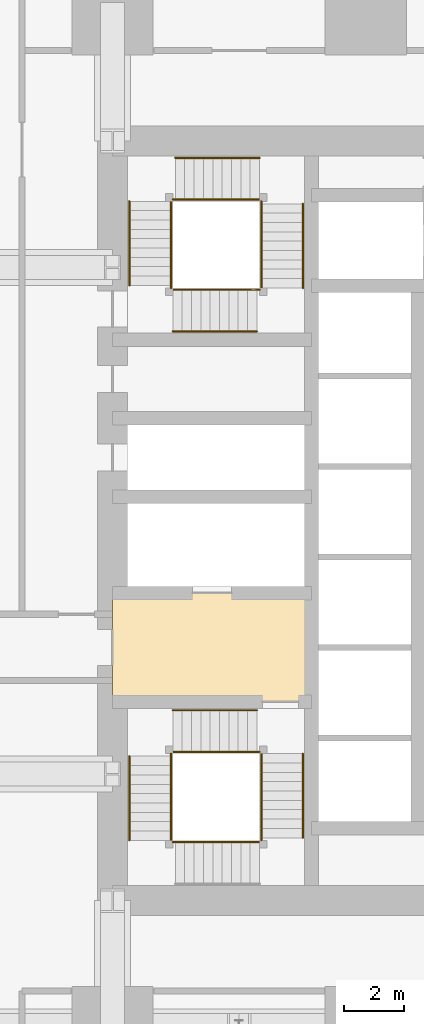
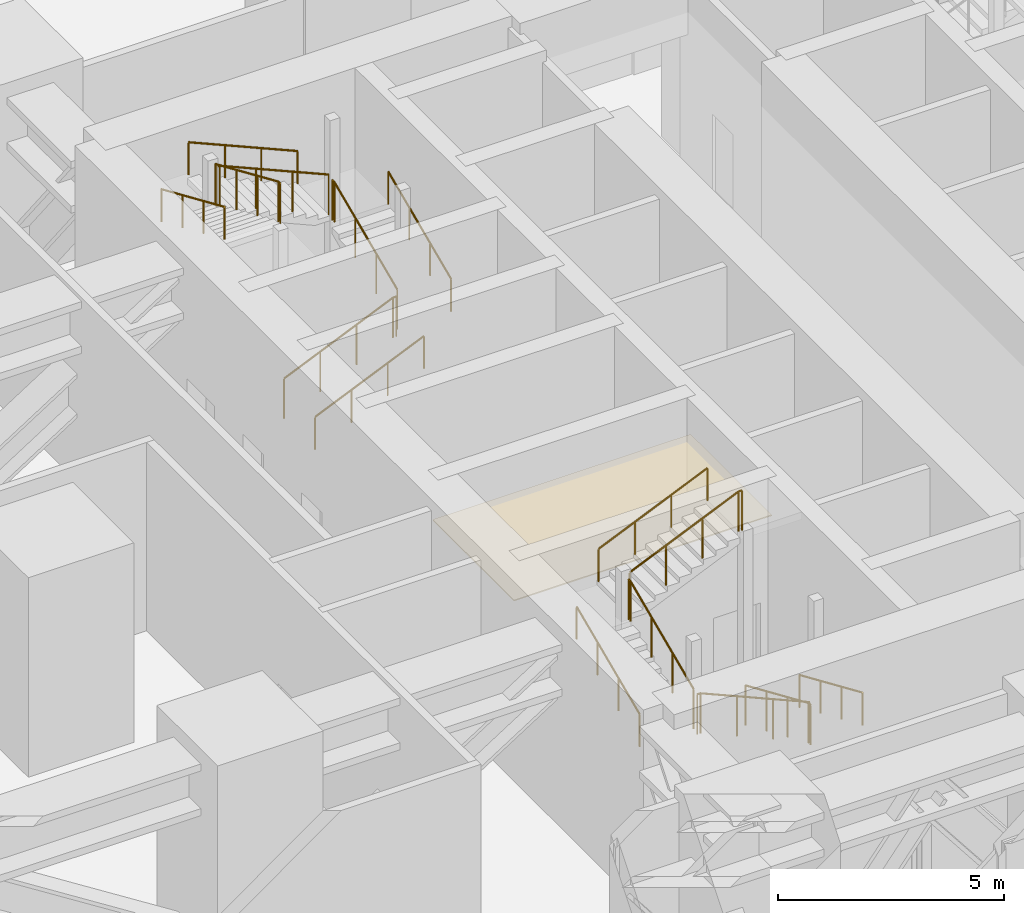
# One storey, part 15 of 16: 23 railings, 1 covering.
"""IFC4 building model written with IfcOpenShell, lengths in metres."""

from ifc_helpers import new_model, si_unit, direction, frame, origin, origin_2d, place, context, subcontext, project, spatial, polyline, circle, outline, extrude, material, layer, layer_set, type_object, element, save


model = new_model("IFC4")

# Units and contexts
model_context = context("Model", 3, precision=1e-05, world=origin(), true_north=direction((0.0, 1.0)))
body_context = subcontext(model_context, "Body", "Model", "MODEL_VIEW")
ifc_project = project(units=[si_unit("LENGTHUNIT", "METRE"), si_unit("AREAUNIT", "SQUARE_METRE"), si_unit("VOLUMEUNIT", "CUBIC_METRE"), si_unit("PLANEANGLEUNIT", "RADIAN"), si_unit("MASSUNIT", "GRAM", prefix="KILO")], contexts=[model_context])

# Site, building, storey
site_placement = place(None, origin())
site = spatial("IfcSite", under=ifc_project, at=site_placement, CompositionType="ELEMENT")
building_placement = place(site_placement, origin())
building = spatial("IfcBuilding", under=site, at=building_placement, Name="Rekha Terrace Tower", CompositionType="ELEMENT")
storey_placement = place(building_placement, frame((0.0, 0.0, 162.800048828125)))
storey = spatial("IfcBuildingStorey", under=building, at=storey_placement, Name="L41", CompositionType="ELEMENT", Elevation=162.800048828125)

# Covering
ifc_material_1 = material(Name="Powder-coated aluminium pan", Category="aluminium")
ifc_layer = layer(ifc_material_1, 0.030029296875)
ifc_layer_set = layer_set([ifc_layer], Name="Powder-coated aluminium pan")
covering_type = type_object("IfcCoveringType", Name="CL3 300x1200 metal pan ceiling", PredefinedType="CEILING", material=ifc_layer_set)
covering_placement = place(storey_placement, frame((0.0, 0.0, 4.169921875)))
element("IfcCovering", 1, at=covering_placement, inside=storey, type_object=covering_type, Name="Ceiling L41-FLB1", PredefinedType="CEILING", context=body_context, shape_type="SweptSolid", body=[
    extrude(outline(polyline([(31.800048828125, 31.199951171875), (25.199951171875, 31.199951171875), (25.199951171875, 27.60009765625), (31.800048828125, 27.60009765625), (31.800048828125, 31.199951171875)])), origin(), (0.0, 0.0, 1.0), 0.030029296875),
])

# Railings
ifc_material_2 = material(Name="Stainless steel balustrade", Category="steel")
railing_type_1 = type_object("IfcRailingType", Name="GR1 1100 stair guard", PredefinedType="GUARDRAIL", material=ifc_material_2)
railing_1_placement = place(storey_placement, frame((30.135009765625, 25.875, 0.135009765625)))
element("IfcRailing", 2, at=railing_1_placement, inside=storey, type_object=railing_type_1, Name="Guard ST1 L41 flight 1", PredefinedType="GUARDRAIL", context=body_context, shape_type="SweptSolid", body=[
    extrude(circle(Radius=0.02392578125, at=origin_2d()), frame((0.0, 0.0, 1.076171875), z_axis=(0.0, -0.916855640006, 0.399218906604), x_axis=(1.0, 0.0, 0.0)), (0.0, 0.0, 1.0), 3.04296875),
    extrude(circle(Radius=0.02099609375, at=origin_2d()), origin(), (0.0, 0.0, 1.0), 1.052001953125),
    extrude(circle(Radius=0.02099609375, at=origin_2d()), frame((0.0, -0.929931640625, 0.405029296875)), (0.0, 0.0, 1.0), 1.052001953125),
    extrude(circle(Radius=0.02099609375, at=origin_2d()), frame((0.0, -1.860107421875, 0.809814453125)), (0.0, 0.0, 1.0), 1.052001953125),
    extrude(circle(Radius=0.02099609375, at=origin_2d()), frame((0.0, -2.7900390625, 1.21484375)), (0.0, 0.0, 1.0), 1.052001953125),
])
railing_2_placement = place(storey_placement, frame((30.074951171875, 22.93994140625, 1.48486328125)))
element("IfcRailing", 3, at=railing_2_placement, inside=storey, type_object=railing_type_1, Name="Guard ST1 L41 flight 2", PredefinedType="GUARDRAIL", context=body_context, shape_type="SweptSolid", body=[
    extrude(circle(Radius=0.02392578125, at=origin_2d()), frame((0.0, 0.0, 1.076171875), z_axis=(-0.916826272601, 0.0, 0.399286345707), x_axis=(0.0, -1.0, 0.0)), (0.0, 0.0, 1.0), 3.043212890625),
    extrude(circle(Radius=0.02099609375, at=origin_2d()), origin(), (0.0, 0.0, 1.0), 1.052001953125),
    extrude(circle(Radius=0.02099609375, at=origin_2d()), frame((-0.929931640625, 0.0, 0.405029296875)), (0.0, 0.0, 1.0), 1.052001953125),
    extrude(circle(Radius=0.02099609375, at=origin_2d()), frame((-1.860107421875, 0.0, 0.81005859375)), (0.0, 0.0, 1.0), 1.052001953125),
    extrude(circle(Radius=0.02099609375, at=origin_2d()), frame((-2.7900390625, 0.0, 1.215087890625)), (0.0, 0.0, 1.0), 1.052001953125),
])
railing_3_placement = place(storey_placement, frame((27.139892578125, 23.0, 2.8349609375)))
element("IfcRailing", 4, at=railing_3_placement, inside=storey, type_object=railing_type_1, Name="Guard ST1 L41 flight 3", PredefinedType="GUARDRAIL", context=body_context, shape_type="SweptSolid", body=[
    extrude(circle(Radius=0.02392578125, at=origin_2d()), frame((0.0, 0.0, 1.076171875), z_axis=(0.0, 0.916826272601, 0.399286345707), x_axis=(-1.0, 0.0, 0.0)), (0.0, 0.0, 1.0), 3.043212890625),
    extrude(circle(Radius=0.02099609375, at=origin_2d()), origin(), (0.0, 0.0, 1.0), 1.052001953125),
    extrude(circle(Radius=0.02099609375, at=origin_2d()), frame((0.0, 0.929931640625, 0.405029296875)), (0.0, 0.0, 1.0), 1.052001953125),
    extrude(circle(Radius=0.02099609375, at=origin_2d()), frame((0.0, 1.860107421875, 0.81005859375)), (0.0, 0.0, 1.0), 1.052001953125),
    extrude(circle(Radius=0.02099609375, at=origin_2d()), frame((0.0, 2.7900390625, 1.215087890625)), (0.0, 0.0, 1.0), 1.052001953125),
])
railing_4_placement = place(storey_placement, frame((27.199951171875, 25.93505859375, 4.18505859375)))
element("IfcRailing", 5, at=railing_4_placement, inside=storey, type_object=railing_type_1, Name="Guard ST1 L41 flight 4", PredefinedType="GUARDRAIL", context=body_context, shape_type="SweptSolid", body=[
    extrude(circle(Radius=0.02392578125, at=origin_2d()), frame((0.0, 0.0, 1.076171875), z_axis=(0.916855640006, 0.0, 0.399218906604), x_axis=(0.0, 1.0, 0.0)), (0.0, 0.0, 1.0), 3.04296875),
    extrude(circle(Radius=0.02099609375, at=origin_2d()), origin(), (0.0, 0.0, 1.0), 1.052001953125),
    extrude(circle(Radius=0.02099609375, at=origin_2d()), frame((0.929931640625, 0.0, 0.405029296875)), (0.0, 0.0, 1.0), 1.052001953125),
    extrude(circle(Radius=0.02099609375, at=origin_2d()), frame((1.860107421875, 0.0, 0.809814453125)), (0.0, 0.0, 1.0), 1.052001953125),
    extrude(circle(Radius=0.02099609375, at=origin_2d()), frame((2.7900390625, 0.0, 1.21484375)), (0.0, 0.0, 1.0), 1.052001953125),
])
railing_5_placement = place(storey_placement, frame((30.135009765625, 23.0849609375, 1.349853515625)))
element("IfcRailing", 6, at=railing_5_placement, inside=storey, type_object=railing_type_1, Name="Guard ST1 L41 landing 1", PredefinedType="GUARDRAIL", context=body_context, shape_type="SweptSolid", body=[
    extrude(circle(Radius=0.02392578125, at=origin_2d()), frame((0.0, 0.0, 1.076171875), z_axis=(0.0, -1.0, 0.0), x_axis=(1.0, 0.0, 0.0)), (0.0, 0.0, 1.0), 0.0849609375),
    extrude(circle(Radius=0.02099609375, at=origin_2d()), origin(), (0.0, 0.0, 1.0), 1.052001953125),
    extrude(circle(Radius=0.02099609375, at=origin_2d()), frame((0.0, -0.0849609375, 0.0)), (0.0, 0.0, 1.0), 1.052001953125),
])
railing_6_placement = place(storey_placement, frame((27.284912109375, 22.93994140625, 2.699951171875)))
element("IfcRailing", 7, at=railing_6_placement, inside=storey, type_object=railing_type_1, Name="Guard ST1 L41 landing 2", PredefinedType="GUARDRAIL", context=body_context, shape_type="SweptSolid", body=[
    extrude(circle(Radius=0.02392578125, at=origin_2d()), frame((0.0, 0.0, 1.076171875), z_axis=(-1.0, 0.0, 0.0), x_axis=(0.0, -1.0, 0.0)), (0.0, 0.0, 1.0), 0.0849609375),
    extrude(circle(Radius=0.02099609375, at=origin_2d()), origin(), (0.0, 0.0, 1.0), 1.052001953125),
    extrude(circle(Radius=0.02099609375, at=origin_2d()), frame((-0.0849609375, 0.0, 0.0)), (0.0, 0.0, 1.0), 1.052001953125),
])
railing_7_placement = place(storey_placement, frame((27.139892578125, 25.875, 4.050048828125)))
element("IfcRailing", 8, at=railing_7_placement, inside=storey, type_object=railing_type_1, Name="Guard ST1 L41 landing 3", PredefinedType="GUARDRAIL", context=body_context, shape_type="SweptSolid", body=[
    extrude(circle(Radius=0.02392578125, at=origin_2d()), frame((0.0, 0.0, 1.076171875), z_axis=(0.0, -1.0, 0.0), x_axis=(1.0, 0.0, 0.0)), (0.0, 0.0, 1.0), 0.0849609375),
    extrude(circle(Radius=0.02099609375, at=origin_2d()), origin(), (0.0, 0.0, 1.0), 1.052001953125),
    extrude(circle(Radius=0.02099609375, at=origin_2d()), frame((0.0, -0.0849609375, 0.0)), (0.0, 0.0, 1.0), 1.052001953125),
])
railing_8_placement = place(storey_placement, frame((30.074951171875, 25.93505859375, 5.39990234375)))
element("IfcRailing", 9, at=railing_8_placement, inside=storey, type_object=railing_type_1, Name="Guard ST1 L41 landing 4", PredefinedType="GUARDRAIL", context=body_context, shape_type="SweptSolid", body=[
    extrude(circle(Radius=0.02392578125, at=origin_2d()), frame((0.0, 0.0, 1.076171875), z_axis=(-1.0, 0.0, 0.0), x_axis=(0.0, -1.0, 0.0)), (0.0, 0.0, 1.0), 0.0849609375),
    extrude(circle(Radius=0.02099609375, at=origin_2d()), origin(), (0.0, 0.0, 1.0), 1.052001953125),
    extrude(circle(Radius=0.02099609375, at=origin_2d()), frame((-0.0849609375, 0.0, 0.0)), (0.0, 0.0, 1.0), 1.052001953125),
])
railing_9_placement = place(storey_placement, frame((27.199951171875, 41.264892578125, 0.135009765625)))
element("IfcRailing", 10, at=railing_9_placement, inside=storey, type_object=railing_type_1, Name="Guard ST4 L41 flight 1", PredefinedType="GUARDRAIL", context=body_context, shape_type="SweptSolid", body=[
    extrude(circle(Radius=0.02392578125, at=origin_2d()), frame((0.0, 0.0, 1.076171875), z_axis=(0.916855640006, 0.0, 0.399218906604), x_axis=(0.0, 1.0, 0.0)), (0.0, 0.0, 1.0), 3.04296875),
    extrude(circle(Radius=0.02099609375, at=origin_2d()), origin(), (0.0, 0.0, 1.0), 1.052001953125),
    extrude(circle(Radius=0.02099609375, at=origin_2d()), frame((0.929931640625, 0.0, 0.405029296875)), (0.0, 0.0, 1.0), 1.052001953125),
    extrude(circle(Radius=0.02099609375, at=origin_2d()), frame((1.860107421875, 0.0, 0.809814453125)), (0.0, 0.0, 1.0), 1.052001953125),
    extrude(circle(Radius=0.02099609375, at=origin_2d()), frame((2.7900390625, 0.0, 1.21484375)), (0.0, 0.0, 1.0), 1.052001953125),
])
railing_10_placement = place(storey_placement, frame((30.135009765625, 41.324951171875, 1.48486328125)))
element("IfcRailing", 11, at=railing_10_placement, inside=storey, type_object=railing_type_1, Name="Guard ST4 L41 flight 2", PredefinedType="GUARDRAIL", context=body_context, shape_type="SweptSolid", body=[
    extrude(circle(Radius=0.02392578125, at=origin_2d()), frame((0.0, 0.0, 1.076171875), z_axis=(0.0, 0.916826272601, 0.399286345707), x_axis=(-1.0, 0.0, 0.0)), (0.0, 0.0, 1.0), 3.043212890625),
    extrude(circle(Radius=0.02099609375, at=origin_2d()), origin(), (0.0, 0.0, 1.0), 1.052001953125),
    extrude(circle(Radius=0.02099609375, at=origin_2d()), frame((0.0, 0.929931640625, 0.405029296875)), (0.0, 0.0, 1.0), 1.052001953125),
    extrude(circle(Radius=0.02099609375, at=origin_2d()), frame((0.0, 1.860107421875, 0.81005859375)), (0.0, 0.0, 1.0), 1.052001953125),
    extrude(circle(Radius=0.02099609375, at=origin_2d()), frame((0.0, 2.7900390625, 1.215087890625)), (0.0, 0.0, 1.0), 1.052001953125),
])
railing_11_placement = place(storey_placement, frame((30.074951171875, 44.260009765625, 2.8349609375)))
element("IfcRailing", 12, at=railing_11_placement, inside=storey, type_object=railing_type_1, Name="Guard ST4 L41 flight 3", PredefinedType="GUARDRAIL", context=body_context, shape_type="SweptSolid", body=[
    extrude(circle(Radius=0.02392578125, at=origin_2d()), frame((0.0, 0.0, 1.076171875), z_axis=(-0.916826272601, 0.0, 0.399286345707), x_axis=(0.0, -1.0, 0.0)), (0.0, 0.0, 1.0), 3.043212890625),
    extrude(circle(Radius=0.02099609375, at=origin_2d()), origin(), (0.0, 0.0, 1.0), 1.052001953125),
    extrude(circle(Radius=0.02099609375, at=origin_2d()), frame((-0.929931640625, 0.0, 0.405029296875)), (0.0, 0.0, 1.0), 1.052001953125),
    extrude(circle(Radius=0.02099609375, at=origin_2d()), frame((-1.860107421875, 0.0, 0.81005859375)), (0.0, 0.0, 1.0), 1.052001953125),
    extrude(circle(Radius=0.02099609375, at=origin_2d()), frame((-2.7900390625, 0.0, 1.215087890625)), (0.0, 0.0, 1.0), 1.052001953125),
])
railing_12_placement = place(storey_placement, frame((27.139892578125, 44.199951171875, 4.18505859375)))
element("IfcRailing", 13, at=railing_12_placement, inside=storey, type_object=railing_type_1, Name="Guard ST4 L41 flight 4", PredefinedType="GUARDRAIL", context=body_context, shape_type="SweptSolid", body=[
    extrude(circle(Radius=0.02392578125, at=origin_2d()), frame((0.0, 0.0, 1.076171875), z_axis=(0.0, -0.916855640006, 0.399218906604), x_axis=(1.0, 0.0, 0.0)), (0.0, 0.0, 1.0), 3.04296875),
    extrude(circle(Radius=0.02099609375, at=origin_2d()), origin(), (0.0, 0.0, 1.0), 1.052001953125),
    extrude(circle(Radius=0.02099609375, at=origin_2d()), frame((0.0, -0.929931640625, 0.405029296875)), (0.0, 0.0, 1.0), 1.052001953125),
    extrude(circle(Radius=0.02099609375, at=origin_2d()), frame((0.0, -1.860107421875, 0.809814453125)), (0.0, 0.0, 1.0), 1.052001953125),
    extrude(circle(Radius=0.02099609375, at=origin_2d()), frame((0.0, -2.7900390625, 1.21484375)), (0.0, 0.0, 1.0), 1.052001953125),
])
railing_13_placement = place(storey_placement, frame((29.989990234375, 41.264892578125, 1.349853515625)))
element("IfcRailing", 14, at=railing_13_placement, inside=storey, type_object=railing_type_1, Name="Guard ST4 L41 landing 1", PredefinedType="GUARDRAIL", context=body_context, shape_type="SweptSolid", body=[
    extrude(circle(Radius=0.02392578125, at=origin_2d()), frame((0.0, 0.0, 1.076171875), z_axis=(1.0, 0.0, 0.0), x_axis=(0.0, 1.0, 0.0)), (0.0, 0.0, 1.0), 0.0849609375),
    extrude(circle(Radius=0.02099609375, at=origin_2d()), origin(), (0.0, 0.0, 1.0), 1.052001953125),
    extrude(circle(Radius=0.02099609375, at=origin_2d()), frame((0.0849609375, 0.0, 0.0)), (0.0, 0.0, 1.0), 1.052001953125),
])
railing_14_placement = place(storey_placement, frame((30.135009765625, 44.114990234375, 2.699951171875)))
element("IfcRailing", 15, at=railing_14_placement, inside=storey, type_object=railing_type_1, Name="Guard ST4 L41 landing 2", PredefinedType="GUARDRAIL", context=body_context, shape_type="SweptSolid", body=[
    extrude(circle(Radius=0.02392578125, at=origin_2d()), frame((0.0, 0.0, 1.076171875), z_axis=(0.0, 1.0, 0.0), x_axis=(-1.0, 0.0, 0.0)), (0.0, 0.0, 1.0), 0.0849609375),
    extrude(circle(Radius=0.02099609375, at=origin_2d()), origin(), (0.0, 0.0, 1.0), 1.052001953125),
    extrude(circle(Radius=0.02099609375, at=origin_2d()), frame((0.0, 0.0849609375, 0.0)), (0.0, 0.0, 1.0), 1.052001953125),
])
railing_15_placement = place(storey_placement, frame((27.199951171875, 44.260009765625, 4.050048828125)))
element("IfcRailing", 16, at=railing_15_placement, inside=storey, type_object=railing_type_1, Name="Guard ST4 L41 landing 3", PredefinedType="GUARDRAIL", context=body_context, shape_type="SweptSolid", body=[
    extrude(circle(Radius=0.02392578125, at=origin_2d()), frame((0.0, 0.0, 1.076171875), z_axis=(1.0, 0.0, 0.0), x_axis=(0.0, 1.0, 0.0)), (0.0, 0.0, 1.0), 0.0849609375),
    extrude(circle(Radius=0.02099609375, at=origin_2d()), origin(), (0.0, 0.0, 1.0), 1.052001953125),
    extrude(circle(Radius=0.02099609375, at=origin_2d()), frame((0.0849609375, 0.0, 0.0)), (0.0, 0.0, 1.0), 1.052001953125),
])
railing_16_placement = place(storey_placement, frame((27.139892578125, 41.324951171875, 5.39990234375)))
element("IfcRailing", 17, at=railing_16_placement, inside=storey, type_object=railing_type_1, Name="Guard ST4 L41 landing 4", PredefinedType="GUARDRAIL", context=body_context, shape_type="SweptSolid", body=[
    extrude(circle(Radius=0.02392578125, at=origin_2d()), frame((0.0, 0.0, 1.076171875), z_axis=(0.0, 1.0, 0.0), x_axis=(-1.0, 0.0, 0.0)), (0.0, 0.0, 1.0), 0.0849609375),
    extrude(circle(Radius=0.02099609375, at=origin_2d()), origin(), (0.0, 0.0, 1.0), 1.052001953125),
    extrude(circle(Radius=0.02099609375, at=origin_2d()), frame((0.0, 0.0849609375, 0.0)), (0.0, 0.0, 1.0), 1.052001953125),
])
ifc_material_3 = material(Name="Stainless steel tube", Category="steel")
railing_type_2 = type_object("IfcRailingType", Name="HR1 900 stair handrail", PredefinedType="HANDRAIL", material=ifc_material_3)
railing_17_placement = place(storey_placement, frame((31.514892578125, 25.875, 0.135009765625)))
element("IfcRailing", 18, at=railing_17_placement, inside=storey, type_object=railing_type_2, Name="Handrail ST1 L41 flight 1", PredefinedType="HANDRAIL", context=body_context, shape_type="SweptSolid", body=[
    extrude(circle(Radius=0.02392578125, at=origin_2d()), frame((0.0, 0.0, 0.8759765625), z_axis=(0.0, -0.916855640006, 0.399218906604), x_axis=(1.0, 0.0, 0.0)), (0.0, 0.0, 1.0), 3.04296875),
    extrude(circle(Radius=0.02099609375, at=origin_2d()), origin(), (0.0, 0.0, 1.0), 0.851806640625),
    extrude(circle(Radius=0.02099609375, at=origin_2d()), frame((0.0, -0.929931640625, 0.405029296875)), (0.0, 0.0, 1.0), 0.851806640625),
    extrude(circle(Radius=0.02099609375, at=origin_2d()), frame((0.0, -1.860107421875, 0.809814453125)), (0.0, 0.0, 1.0), 0.851806640625),
    extrude(circle(Radius=0.02099609375, at=origin_2d()), frame((0.0, -2.7900390625, 1.21484375)), (0.0, 0.0, 1.0), 0.851806640625),
])
railing_18_placement = place(storey_placement, frame((25.760009765625, 23.0, 2.8349609375)))
element("IfcRailing", 19, at=railing_18_placement, inside=storey, type_object=railing_type_2, Name="Handrail ST1 L41 flight 3", PredefinedType="HANDRAIL", context=body_context, shape_type="SweptSolid", body=[
    extrude(circle(Radius=0.02392578125, at=origin_2d()), frame((0.0, 0.0, 0.8759765625), z_axis=(0.0, 0.916826272601, 0.399286345707), x_axis=(-1.0, 0.0, 0.0)), (0.0, 0.0, 1.0), 3.043212890625),
    extrude(circle(Radius=0.02099609375, at=origin_2d()), origin(), (0.0, 0.0, 1.0), 0.851806640625),
    extrude(circle(Radius=0.02099609375, at=origin_2d()), frame((0.0, 0.929931640625, 0.405029296875)), (0.0, 0.0, 1.0), 0.851806640625),
    extrude(circle(Radius=0.02099609375, at=origin_2d()), frame((0.0, 1.860107421875, 0.81005859375)), (0.0, 0.0, 1.0), 0.851806640625),
    extrude(circle(Radius=0.02099609375, at=origin_2d()), frame((0.0, 2.7900390625, 1.215087890625)), (0.0, 0.0, 1.0), 0.851806640625),
])
for number, where, name in (
    (20, (27.199951171875, 27.31494140625, 4.18505859375), "Handrail ST1 L41 flight 4"),
    (21, (27.199951171875, 39.885009765625, 0.135009765625), "Handrail ST4 L41 flight 1"),
):
    element("IfcRailing", number, at=place(storey_placement, frame(where)), inside=storey, type_object=railing_type_2, Name=name, PredefinedType="HANDRAIL", context=body_context, shape_type="SweptSolid", body=[
        extrude(circle(Radius=0.02392578125, at=origin_2d()), frame((0.0, 0.0, 0.8759765625), z_axis=(0.916855640006, 0.0, 0.399218906604), x_axis=(0.0, 1.0, 0.0)), (0.0, 0.0, 1.0), 3.04296875),
        extrude(circle(Radius=0.02099609375, at=origin_2d()), origin(), (0.0, 0.0, 1.0), 0.851806640625),
        extrude(circle(Radius=0.02099609375, at=origin_2d()), frame((0.929931640625, 0.0, 0.405029296875)), (0.0, 0.0, 1.0), 0.851806640625),
        extrude(circle(Radius=0.02099609375, at=origin_2d()), frame((1.860107421875, 0.0, 0.809814453125)), (0.0, 0.0, 1.0), 0.851806640625),
        extrude(circle(Radius=0.02099609375, at=origin_2d()), frame((2.7900390625, 0.0, 1.21484375)), (0.0, 0.0, 1.0), 0.851806640625),
    ])
railing_19_placement = place(storey_placement, frame((31.514892578125, 41.324951171875, 1.48486328125)))
element("IfcRailing", 22, at=railing_19_placement, inside=storey, type_object=railing_type_2, Name="Handrail ST4 L41 flight 2", PredefinedType="HANDRAIL", context=body_context, shape_type="SweptSolid", body=[
    extrude(circle(Radius=0.02392578125, at=origin_2d()), frame((0.0, 0.0, 0.8759765625), z_axis=(0.0, 0.916826272601, 0.399286345707), x_axis=(-1.0, 0.0, 0.0)), (0.0, 0.0, 1.0), 3.043212890625),
    extrude(circle(Radius=0.02099609375, at=origin_2d()), origin(), (0.0, 0.0, 1.0), 0.851806640625),
    extrude(circle(Radius=0.02099609375, at=origin_2d()), frame((0.0, 0.929931640625, 0.405029296875)), (0.0, 0.0, 1.0), 0.851806640625),
    extrude(circle(Radius=0.02099609375, at=origin_2d()), frame((0.0, 1.860107421875, 0.81005859375)), (0.0, 0.0, 1.0), 0.851806640625),
    extrude(circle(Radius=0.02099609375, at=origin_2d()), frame((0.0, 2.7900390625, 1.215087890625)), (0.0, 0.0, 1.0), 0.851806640625),
])
railing_20_placement = place(storey_placement, frame((30.074951171875, 45.639892578125, 2.8349609375)))
element("IfcRailing", 23, at=railing_20_placement, inside=storey, type_object=railing_type_2, Name="Handrail ST4 L41 flight 3", PredefinedType="HANDRAIL", context=body_context, shape_type="SweptSolid", body=[
    extrude(circle(Radius=0.02392578125, at=origin_2d()), frame((0.0, 0.0, 0.8759765625), z_axis=(-0.916826272601, 0.0, 0.399286345707), x_axis=(0.0, -1.0, 0.0)), (0.0, 0.0, 1.0), 3.043212890625),
    extrude(circle(Radius=0.02099609375, at=origin_2d()), origin(), (0.0, 0.0, 1.0), 0.851806640625),
    extrude(circle(Radius=0.02099609375, at=origin_2d()), frame((-0.929931640625, 0.0, 0.405029296875)), (0.0, 0.0, 1.0), 0.851806640625),
    extrude(circle(Radius=0.02099609375, at=origin_2d()), frame((-1.860107421875, 0.0, 0.81005859375)), (0.0, 0.0, 1.0), 0.851806640625),
    extrude(circle(Radius=0.02099609375, at=origin_2d()), frame((-2.7900390625, 0.0, 1.215087890625)), (0.0, 0.0, 1.0), 0.851806640625),
])
railing_21_placement = place(storey_placement, frame((25.760009765625, 44.199951171875, 4.18505859375)))
element("IfcRailing", 24, at=railing_21_placement, inside=storey, type_object=railing_type_2, Name="Handrail ST4 L41 flight 4", PredefinedType="HANDRAIL", context=body_context, shape_type="SweptSolid", body=[
    extrude(circle(Radius=0.02392578125, at=origin_2d()), frame((0.0, 0.0, 0.8759765625), z_axis=(0.0, -0.916855640006, 0.399218906604), x_axis=(1.0, 0.0, 0.0)), (0.0, 0.0, 1.0), 3.04296875),
    extrude(circle(Radius=0.02099609375, at=origin_2d()), origin(), (0.0, 0.0, 1.0), 0.851806640625),
    extrude(circle(Radius=0.02099609375, at=origin_2d()), frame((0.0, -0.929931640625, 0.405029296875)), (0.0, 0.0, 1.0), 0.851806640625),
    extrude(circle(Radius=0.02099609375, at=origin_2d()), frame((0.0, -1.860107421875, 0.809814453125)), (0.0, 0.0, 1.0), 0.851806640625),
    extrude(circle(Radius=0.02099609375, at=origin_2d()), frame((0.0, -2.7900390625, 1.21484375)), (0.0, 0.0, 1.0), 0.851806640625),
])

save(model, "model.ifc")
